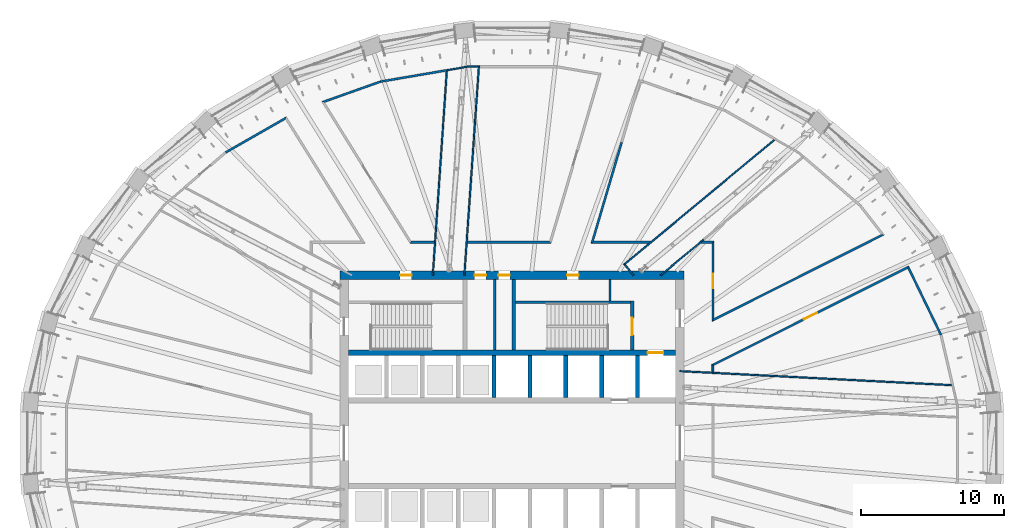
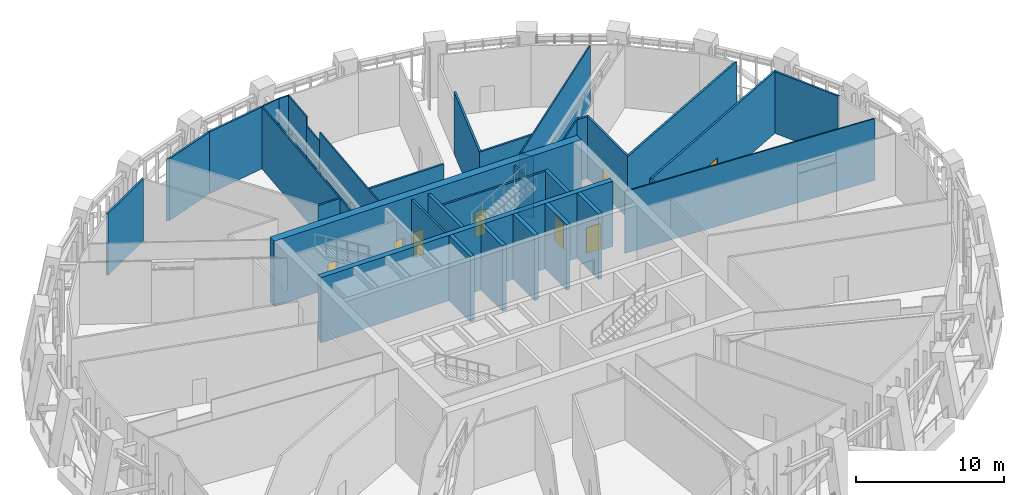
# One storey, part 10 of 21: 35 walls, 8 doors, 8 openings.
"""IFC4 building model written with IfcOpenShell, lengths in metres."""

from ifc_helpers import new_model, si_unit, direction, frame, frame_2d, origin, place, context, subcontext, project, spatial, polyline, rectangle, outline, extrude, material, layer, layer_set, type_object, element, fill, save


model = new_model("IFC4")

# Units and contexts
model_context = context("Model", 3, precision=1e-05, world=origin(), true_north=direction((0.0, 1.0)))
body_context = subcontext(model_context, "Body", "Model", "MODEL_VIEW")
ifc_project = project(units=[si_unit("LENGTHUNIT", "METRE"), si_unit("AREAUNIT", "SQUARE_METRE"), si_unit("VOLUMEUNIT", "CUBIC_METRE"), si_unit("PLANEANGLEUNIT", "RADIAN"), si_unit("MASSUNIT", "GRAM", prefix="KILO")], contexts=[model_context])

# Site, building, storey
site_placement = place(None, origin())
site = spatial("IfcSite", under=ifc_project, at=site_placement, CompositionType="ELEMENT")
building_placement = place(site_placement, origin())
building = spatial("IfcBuilding", under=site, at=building_placement, Name="Halqa Exchange Tower", CompositionType="ELEMENT")
storey_placement = place(building_placement, frame((0.0, 0.0, 173.5)))
storey = spatial("IfcBuildingStorey", under=building, at=storey_placement, Name="L39", CompositionType="ELEMENT", Elevation=173.5)

# Walls
ifc_material_1 = material(Name="Fire-rated gypsum board")
ifc_layer_1 = layer(ifc_material_1, 0.14990234375)
ifc_layer_set_1 = layer_set([ifc_layer_1], Name="Fire-rated gypsum board")
wall_type_1 = type_object("IfcWallType", Name="Fire partition EI 60 150", PredefinedType="PARTITIONING", material=ifc_layer_set_1)
wall_1_placement = place(storey_placement, frame((-19.96630859375, 20.256591796875, 0.0), z_axis=(0.0, 0.0, 1.0), x_axis=(0.868264531095, 0.496101505786, 0.0)))
element("IfcWall", 1, at=wall_1_placement, inside=storey, type_object=wall_type_1, Name="L39-PWL-024", PredefinedType="PARTITIONING", context=body_context, shape_type="SweptSolid", body=[
    extrude(outline(polyline([(0.01416015625, -0.074951171875), (1.600341796875, -0.074951171875), (3.186279296875, -0.074951171875), (4.772216796875, -0.074951171875), (4.916748046875, 0.074951171875), (3.27783203125, 0.074951171875), (1.638916015625, 0.074951171875), (0.0, 0.074951171875), (0.01416015625, -0.074951171875)])), origin(), (0.0, 0.0, 1.0), 5.10009765625),
])
wall_2_placement = place(storey_placement, frame((-9.15380859375, 25.2021484375, 0.0), z_axis=(0.0, 0.0, 1.0), x_axis=(-0.942379744369, -0.33454509024, 0.0)))
element("IfcWall", 2, at=wall_2_placement, inside=storey, type_object=wall_type_1, Name="L39-PWL-037", PredefinedType="PARTITIONING", context=body_context, shape_type="SweptSolid", body=[
    extrude(outline(polyline([(0.0, -0.074951171875), (1.4482421875, -0.074951171875), (2.896240234375, -0.074951171875), (4.34423828125, -0.074951171875), (4.157958984375, 0.074951171875), (2.7763671875, 0.074951171875), (1.39453125, 0.074951171875), (0.012939453125, 0.074951171875), (0.0, -0.074951171875)])), origin(), (0.0, 0.0, 1.0), 5.10009765625),
])
wall_3_placement = place(storey_placement, frame((-7.111572265625, 14.0, 0.0), z_axis=(0.0, 0.0, 1.0), x_axis=(1.0, 0.0, 0.0)))
element("IfcWall", 3, at=wall_3_placement, inside=storey, type_object=wall_type_1, Name="L39-PWL-039", PredefinedType="PARTITIONING", context=body_context, shape_type="SweptSolid", body=[
    extrude(outline(polyline([(0.0, -0.074951171875), (1.694091796875, -0.074951171875), (1.7041015625, 0.071533203125), (1.7041015625, 0.074951171875), (0.083251953125, 0.074951171875), (0.04150390625, 0.0), (0.0, -0.074951171875), (0.0, -0.074951171875)])), origin(), (0.0, 0.0, 1.0), 5.10009765625),
])
wall_4_placement = place(storey_placement, frame((-4.5400390625, 25.989990234375, 0.0), z_axis=(0.0, 0.0, 1.0), x_axis=(-0.98569640878, -0.168530678863, 0.0)))
element("IfcWall", 4, at=wall_4_placement, inside=storey, type_object=wall_type_1, Name="L39-PWL-042", PredefinedType="PARTITIONING", context=body_context, shape_type="SweptSolid", body=[
    extrude(outline(polyline([(0.0, -0.074951171875), (1.564453125, -0.074951171875), (3.12890625, -0.074951171875), (4.693359375, -0.074951171875), (4.6806640625, 0.074951171875), (3.120361328125, 0.074951171875), (1.560302734375, 0.074951171875), (0.0, 0.074951171875), (0.0, -0.074951171875)])), origin(), (0.0, 0.0, 1.0), 5.10009765625),
])
wall_5_placement = place(storey_placement, frame((-3.114990234375, 14.0, 0.0), z_axis=(0.0, 0.0, 1.0), x_axis=(1.0, 0.0, 0.0)))
element("IfcWall", 5, at=wall_5_placement, inside=storey, type_object=wall_type_1, Name="L39-PWL-045", PredefinedType="PARTITIONING", context=body_context, shape_type="SweptSolid", body=[
    extrude(outline(polyline([(0.0, -0.074951171875), (1.947021484375, -0.074951171875), (3.89404296875, -0.074951171875), (5.841064453125, -0.074951171875), (5.784912109375, 0.0), (5.72900390625, 0.074951171875), (3.82275390625, 0.074951171875), (1.91650390625, 0.074951171875), (0.01025390625, 0.074951171875), (0.0, -0.072998046875), (0.0, -0.074951171875)])), origin(), (0.0, 0.0, 1.0), 5.10009765625),
])
wall_6_placement = place(storey_placement, frame((5.561767578125, 13.90380859375, 0.0), z_axis=(0.0, 0.0, 1.0), x_axis=(0.282485676995, 0.959271516461, 0.0)))
element("IfcWall", 6, at=wall_6_placement, inside=storey, type_object=wall_type_1, Name="L39-PWL-058", PredefinedType="PARTITIONING", context=body_context, shape_type="SweptSolid", body=[
    extrude(outline(polyline([(7.366943359375, 0.074951171875), (5.525146484375, 0.074951171875), (3.68359375, 0.074951171875), (1.841796875, 0.074951171875), (0.000244140625, 0.074951171875), (0.20068359375, -0.074951171875), (1.9921875, -0.074951171875), (3.78369140625, -0.074951171875), (5.575439453125, -0.074951171875), (7.366943359375, -0.074951171875), (7.366943359375, 0.074951171875)])), origin(), (0.0, 0.0, 1.0), 5.10009765625),
])
wall_7_placement = place(storey_placement, frame((5.48974609375, 14.0, 0.0), z_axis=(0.0, 0.0, 1.0), x_axis=(1.0, 0.0, 0.0)))
element("IfcWall", 7, at=wall_7_placement, inside=storey, type_object=wall_type_1, Name="L39-PWL-059", PredefinedType="PARTITIONING", context=body_context, shape_type="SweptSolid", body=[
    extrude(outline(polyline([(0.0, -0.074951171875), (1.3447265625, -0.074951171875), (2.689453125, -0.074951171875), (4.0341796875, -0.074951171875), (4.2138671875, 0.074462890625), (4.2138671875, 0.074951171875), (2.8759765625, 0.074951171875), (1.538330078125, 0.074951171875), (0.200439453125, 0.074951171875), (0.100341796875, 0.0), (0.0, -0.074951171875)])), origin(), (0.0, 0.0, 1.0), 5.10009765625),
])
wall_8_placement = place(storey_placement, frame((13.118896484375, 14.0, 0.0), z_axis=(0.0, 0.0, 1.0), x_axis=(1.0, 0.0, 0.0)))
element("IfcWall", 8, at=wall_8_placement, inside=storey, type_object=wall_type_1, Name="L39-PWL-078", PredefinedType="PARTITIONING", context=body_context, shape_type="SweptSolid", body=[
    extrude(outline(polyline([(0.0, -0.074951171875), (0.80615234375, -0.074951171875), (0.9560546875, 0.074951171875), (0.18017578125, 0.074951171875), (0.0, -0.07470703125), (0.0, -0.074951171875)])), origin(), (0.0, 0.0, 1.0), 5.10009765625),
])
wall_9_placement = place(storey_placement, frame((13.891357421875, 8.525390625, 0.0), z_axis=(0.0, 0.0, 1.0), x_axis=(0.893668362043, 0.448728045349, 0.0)))
element("IfcWall", 9, at=wall_9_placement, inside=storey, type_object=wall_type_1, Name="L39-PWL-079", PredefinedType="PARTITIONING", context=body_context, shape_type="SweptSolid", body=[
    extrude(outline(polyline([(0.0, -0.074951171875), (1.92431640625, -0.074951171875), (3.848876953125, -0.074951171875), (5.773193359375, -0.074951171875), (7.69775390625, -0.074951171875), (9.6220703125, -0.074951171875), (11.546630859375, -0.074951171875), (13.470947265625, -0.074951171875), (13.288330078125, 0.074951171875), (11.4248046875, 0.074951171875), (9.56103515625, 0.074951171875), (7.697509765625, 0.074951171875), (5.833984375, 0.074951171875), (3.97021484375, 0.074951171875), (2.106689453125, 0.074951171875), (0.242919921875, 0.074951171875), (0.0, -0.074951171875)])), origin(), (0.0, 0.0, 1.0), 5.10009765625),
])
wall_10_placement = place(storey_placement, frame((14.0, 5.496337890625, 0.0), z_axis=(0.0, 0.0, 1.0), x_axis=(0.0, -1.0, 0.0)))
element("IfcWall", 10, at=wall_10_placement, inside=storey, type_object=wall_type_1, Name="L39-PWL-083", PredefinedType="PARTITIONING", context=body_context, shape_type="SweptSolid", body=[
    extrude(outline(polyline([(0.0, -0.074951171875), (0.541015625, -0.074951171875), (0.54833984375, 0.068359375), (0.54833984375, 0.074951171875), (0.092529296875, 0.074951171875), (0.04638671875, 0.0), (0.0, -0.074951171875)])), origin(), (0.0, 0.0, 1.0), 5.10009765625),
])

# Wall, opening, door
wall_11_placement = place(storey_placement, frame((14.0, 14.074951171875, 0.0), z_axis=(0.0, 0.0, 1.0), x_axis=(0.0, -1.0, 0.0)))
wall_11 = element("IfcWall", 11, at=wall_11_placement, inside=storey, type_object=wall_type_1, Name="L39-PWL-084", PredefinedType="PARTITIONING", context=body_context, shape_type="SweptSolid", body=[
    extrude(outline(polyline([(0.14990234375, -0.074951171875), (1.97216796875, -0.074951171875), (3.794189453125, -0.074951171875), (5.616455078125, -0.074951171875), (5.37353515625, 0.074951171875), (3.582275390625, 0.074951171875), (1.791259765625, 0.074951171875), (0.0, 0.074951171875), (0.14990234375, -0.074951171875)])), origin(), (0.0, 0.0, 1.0), 5.10009765625),
])
opening_1_placement = place(wall_11_placement, frame((2.27490234375, 0.0, 0.0)))
opening_1 = element("IfcOpeningElement", 12, at=opening_1_placement, cuts=wall_11, Name="Opening L39-10", PredefinedType="OPENING", context=body_context, shape_type="SweptSolid", body=[
    extrude(rectangle(XDim=1.0, YDim=2.10009765625, at=frame_2d((0.5, 1.050048828125))), frame((0.0, 0.0869140625, 0.0), z_axis=(0.0, -1.0, 0.0), x_axis=(1.0, 0.0, 0.0)), (0.0, 0.0, 1.0), 0.173828125),
])
ifc_material_2 = material(Name="Steel fire door leaf", Category="steel")
door_type_1 = type_object("IfcDoorType", Name="Fire door FD30S 1000 x 2100", OperationType="SINGLE_SWING_LEFT", PredefinedType="DOOR", material=ifc_material_2)
door_1_placement = place(opening_1_placement, origin())
door_1 = element("IfcDoor", 13, at=door_1_placement, inside=storey, type_object=door_type_1, Name="L39-IDR-010", OperationType="SINGLE_SWING_LEFT", OverallHeight=2.10009765625, OverallWidth=1.0, PredefinedType="DOOR", context=body_context, shape_type="SweptSolid", body=[
    extrude(rectangle(XDim=1.0, YDim=2.10009765625, at=frame_2d((0.5, 1.050048828125))), frame((0.0, 0.02490234375, 0.0), z_axis=(0.0, -1.0, 0.0), x_axis=(1.0, 0.0, 0.0)), (0.0, 0.0, 1.0), 0.050048828125),
])
fill(opening_1, door_1)

wall_12_placement = place(storey_placement, frame((27.677978515625, 12.30419921875, 0.0), z_axis=(0.0, 0.0, 1.0), x_axis=(-0.894029102105, -0.448008888963, 0.0)))
wall_12 = element("IfcWall", 14, at=wall_12_placement, inside=storey, type_object=wall_type_1, Name="L39-PWL-096", PredefinedType="PARTITIONING", context=body_context, shape_type="SweptSolid", body=[
    extrude(outline(polyline([(0.0, -0.074951171875), (1.918212890625, -0.074951171875), (3.83642578125, -0.074951171875), (5.754638671875, -0.074951171875), (7.6728515625, -0.074951171875), (9.591064453125, -0.074951171875), (11.509033203125, -0.074951171875), (13.42724609375, -0.074951171875), (15.345458984375, -0.074951171875), (15.2529296875, 0.074951171875), (13.365234375, 0.074951171875), (11.477783203125, 0.074951171875), (9.590087890625, 0.074951171875), (7.702392578125, 0.074951171875), (5.81494140625, 0.074951171875), (3.92724609375, 0.074951171875), (2.03955078125, 0.074951171875), (0.15185546875, 0.074951171875), (0.0, -0.074951171875), (0.0, -0.074951171875)])), origin(), (0.0, 0.0, 1.0), 5.10009765625),
])
opening_2_placement = place(wall_12_placement, frame((7.1875, 0.0, 0.0)))
opening_2 = element("IfcOpeningElement", 15, at=opening_2_placement, cuts=wall_12, Name="Opening L39-09", PredefinedType="OPENING", context=body_context, shape_type="SweptSolid", body=[
    extrude(rectangle(XDim=1.0, YDim=2.10009765625, at=frame_2d((0.5, 1.050048828125))), frame((0.0, 0.0869140625, 0.0), z_axis=(0.0, -1.0, 0.0), x_axis=(1.0, 0.0, 0.0)), (0.0, 0.0, 1.0), 0.173828125),
])
door_2_placement = place(opening_2_placement, origin())
door_2 = element("IfcDoor", 16, at=door_2_placement, inside=storey, type_object=door_type_1, Name="L39-IDR-009", OperationType="SINGLE_SWING_LEFT", OverallHeight=2.10009765625, OverallWidth=1.0, PredefinedType="DOOR", context=body_context, shape_type="SweptSolid", body=[
    extrude(rectangle(XDim=1.0, YDim=2.10009765625, at=frame_2d((0.5, 1.050048828125))), frame((0.0, 0.02490234375, 0.0), z_axis=(0.0, -1.0, 0.0), x_axis=(1.0, 0.0, 0.0)), (0.0, 0.0, 1.0), 0.050048828125),
])
fill(opening_2, door_2)

# Walls
wall_13_placement = place(storey_placement, frame((29.90380859375, 7.532470703125, 0.0), z_axis=(0.0, 0.0, 1.0), x_axis=(-0.435783205869, 0.900051663785, 0.0)))
element("IfcWall", 17, at=wall_13_placement, inside=storey, type_object=wall_type_1, Name="L39-PWL-098", PredefinedType="PARTITIONING", context=body_context, shape_type="SweptSolid", body=[
    extrude(outline(polyline([(5.339599609375, -0.074951171875), (5.339599609375, -0.074951171875), (5.187744140625, 0.074951171875), (3.464111328125, 0.074951171875), (1.740478515625, 0.074951171875), (0.016845703125, 0.074951171875), (0.0, -0.074951171875), (1.77978515625, -0.074951171875), (3.559814453125, -0.074951171875), (5.339599609375, -0.074951171875)])), origin(), (0.0, 0.0, 1.0), 5.10009765625),
])
ifc_material_3 = material(Name="Gypsum board")
ifc_layer_2 = layer(ifc_material_3, 0.10009765625)
ifc_layer_set_2 = layer_set([ifc_layer_2], Name="Gypsum board")
wall_type_2 = type_object("IfcWallType", Name="Partition 100 gypsum", PredefinedType="PARTITIONING", material=ifc_layer_set_2)
wall_14_placement = place(storey_placement, frame((-5.52001953125, 11.699951171875, 0.0), z_axis=(0.0, 0.0, 1.0), x_axis=(0.068417878338, 0.997656751555, 0.0)))
element("IfcWall", 18, at=wall_14_placement, inside=storey, type_object=wall_type_2, Name="L39-PWL-041", PredefinedType="PARTITIONING", context=body_context, shape_type="SweptSolid", body=[
    extrude(outline(polyline([(14.2841796875, -0.050048828125), (14.2841796875, -0.04931640625), (14.27490234375, -0.011962890625), (14.2841796875, -0.009765625), (14.2841796875, -0.009521484375), (14.250732421875, -0.017578125), (14.234375, 0.050048828125), (12.257568359375, 0.050048828125), (10.281005859375, 0.050048828125), (8.304443359375, 0.050048828125), (6.32763671875, 0.050048828125), (4.35107421875, 0.050048828125), (2.37451171875, 0.050048828125), (2.2275390625, 0.0400390625), (2.226806640625, 0.050048828125), (0.0, 0.050048828125), (0.0, -0.050048828125), (1.78564453125, -0.050048828125), (3.571044921875, -0.050048828125), (5.3564453125, -0.050048828125), (7.14208984375, -0.050048828125), (8.927734375, -0.050048828125), (10.713134765625, -0.050048828125), (12.49853515625, -0.050048828125), (14.2841796875, -0.050048828125)])), origin(), (0.0, 0.0, 1.0), 5.10009765625),
])
wall_15_placement = place(storey_placement, frame((-3.320068359375, 11.699951171875, 0.0), z_axis=(0.0, 0.0, 1.0), x_axis=(0.069412279606, 0.99758805899, 0.0)))
element("IfcWall", 19, at=wall_15_placement, inside=storey, type_object=wall_type_2, Name="L39-PWL-043", PredefinedType="PARTITIONING", context=body_context, shape_type="SweptSolid", body=[
    extrude(rectangle(XDim=9.7216796875, YDim=0.10009765625, at=frame_2d((4.86083984375, 0.0))), origin(), (0.0, 0.0, 1.0), 5.10009765625),
])
wall_16_placement = place(storey_placement, frame((-3.095703125, 26.24072265625, 0.0), z_axis=(0.0, 0.0, 1.0), x_axis=(-0.985264268605, -0.171038945885, 0.0)))
element("IfcWall", 20, at=wall_16_placement, inside=storey, type_object=wall_type_2, Name="L39-PWL-047", PredefinedType="PARTITIONING", context=body_context, shape_type="SweptSolid", body=[
    extrude(outline(polyline([(1.4658203125, 0.050048828125), (0.0087890625, 0.050048828125), (0.0, -0.050048828125), (1.4658203125, -0.050048828125), (1.4658203125, 0.050048828125)])), origin(), (0.0, 0.0, 1.0), 5.10009765625),
])
wall_17_placement = place(storey_placement, frame((-2.258056640625, 26.239990234375, 0.0), z_axis=(0.0, 0.0, 1.0), x_axis=(-1.0, 0.0, 0.0)))
element("IfcWall", 21, at=wall_17_placement, inside=storey, type_object=wall_type_2, Name="L39-PWL-048", PredefinedType="PARTITIONING", context=body_context, shape_type="SweptSolid", body=[
    extrude(outline(polyline([(0.84619140625, -0.050048828125), (0.84619140625, -0.04931640625), (0.842041015625, 0.0), (0.837646484375, 0.050048828125), (0.10400390625, 0.050048828125), (0.100341796875, -0.00341796875), (0.00048828125, 0.003662109375), (0.00390625, 0.050048828125), (0.0, 0.050048828125), (0.0, -0.050048828125), (0.84619140625, -0.050048828125)])), origin(), (0.0, 0.0, 1.0), 5.10009765625),
])
wall_18_placement = place(storey_placement, frame((7.80810546875, 12.498291015625, 0.0), z_axis=(0.0, 0.0, 1.0), x_axis=(0.638237196626, -0.769839776085, 0.0)))
element("IfcWall", 22, at=wall_18_placement, inside=storey, type_object=wall_type_2, Name="L39-PWL-062", PredefinedType="PARTITIONING", context=body_context, shape_type="SweptSolid", body=[
    extrude(outline(polyline([(1.037109375, 0.050048828125), (0.099609375, 0.050048828125), (0.0, -0.0498046875), (0.0, -0.050048828125), (1.037109375, -0.050048828125), (1.037109375, 0.050048828125)])), origin(), (0.0, 0.0, 1.0), 5.10009765625),
])
wall_19_placement = place(storey_placement, frame((7.801513671875, 12.427978515625, 0.0), z_axis=(0.0, 0.0, 1.0), x_axis=(0.768935518413, 0.639326339613, 0.0)))
element("IfcWall", 23, at=wall_19_placement, inside=storey, type_object=wall_type_2, Name="L39-PWL-063", PredefinedType="PARTITIONING", context=body_context, shape_type="SweptSolid", body=[
    extrude(outline(polyline([(13.607666015625, 0.050048828125), (11.663818359375, 0.050048828125), (9.7197265625, 0.050048828125), (7.77587890625, 0.050048828125), (5.83203125, 0.050048828125), (3.887939453125, 0.050048828125), (1.944091796875, 0.050048828125), (0.0, 0.050048828125), (0.10009765625, -0.050048828125), (2.02978515625, -0.050048828125), (3.95947265625, -0.050048828125), (5.888916015625, -0.050048828125), (7.818603515625, -0.050048828125), (9.748291015625, -0.050048828125), (11.677978515625, -0.050048828125), (13.607666015625, -0.050048828125), (13.607666015625, 0.050048828125)])), origin(), (0.0, 0.0, 1.0), 5.10009765625),
])
wall_20_placement = place(storey_placement, frame((10.360107421875, 11.699951171875, 0.0), z_axis=(0.0, 0.0, 1.0), x_axis=(0.76943127867, 0.638729604296, 0.0)))
element("IfcWall", 24, at=wall_20_placement, inside=storey, type_object=wall_type_2, Name="L39-PWL-072", PredefinedType="PARTITIONING", context=body_context, shape_type="SweptSolid", body=[
    extrude(outline(polyline([(0.0, -0.050048828125), (1.886474609375, -0.050048828125), (3.772705078125, -0.050048828125), (3.775146484375, -0.047119140625), (3.778564453125, -0.050048828125), (3.915283203125, -0.050048828125), (3.915283203125, 0.050048828125), (1.95751953125, 0.050048828125), (0.0, 0.050048828125), (0.0, -0.050048828125)])), origin(), (0.0, 0.0, 1.0), 5.10009765625),
])
wall_21_placement = place(storey_placement, frame((11.699951171875, 5.02001953125, 0.0), z_axis=(0.0, 0.0, 1.0), x_axis=(0.998673908363, -0.051482276115, 0.0)))
element("IfcWall", 25, at=wall_21_placement, inside=storey, type_object=wall_type_2, Name="L39-PWL-076", PredefinedType="PARTITIONING", context=body_context, shape_type="SweptSolid", body=[
    extrude(outline(polyline([(18.997314453125, -0.050048828125), (18.997314453125, -0.048828125), (18.9873046875, -0.013916015625), (18.997314453125, -0.010986328125), (18.997314453125, -0.010986328125), (18.963134765625, -0.020751953125), (18.94287109375, 0.050048828125), (17.08642578125, 0.050048828125), (15.229736328125, 0.050048828125), (13.373291015625, 0.050048828125), (11.5166015625, 0.050048828125), (9.66015625, 0.050048828125), (7.803466796875, 0.050048828125), (5.947021484375, 0.050048828125), (4.09033203125, 0.050048828125), (2.23388671875, 0.050048828125), (2.225341796875, 0.049560546875), (2.225341796875, 0.050048828125), (0.0, 0.050048828125), (0.0, -0.050048828125), (1.899658203125, -0.050048828125), (3.799560546875, -0.050048828125), (5.69921875, -0.050048828125), (7.598876953125, -0.050048828125), (9.49853515625, -0.050048828125), (11.3984375, -0.050048828125), (13.298095703125, -0.050048828125), (15.19775390625, -0.050048828125), (17.09765625, -0.050048828125), (18.997314453125, -0.050048828125)])), origin(), (0.0, 0.0, 1.0), 5.10009765625),
])
wall_22_placement = place(storey_placement, frame((-2.645263671875, 21.398193359375, 0.0), z_axis=(0.0, 0.0, 1.0), x_axis=(0.069364153802, 0.997591406422, 0.0)))
element("IfcWall", 26, at=wall_22_placement, inside=storey, type_object=wall_type_2, Name="L39-PWL-108", PredefinedType="PARTITIONING", context=body_context, shape_type="SweptSolid", body=[
    extrude(rectangle(XDim=2.02734375, YDim=0.10009765625, at=frame_2d((1.013671875, 0.0))), origin(), (0.0, 0.0, 1.0), 4.346923828125),
])
wall_23_placement = place(storey_placement, frame((-2.504638671875, 23.420654296875, 0.0), z_axis=(0.0, 0.0, 1.0), x_axis=(0.069368346489, 0.997591114889, 0.0)))
element("IfcWall", 27, at=wall_23_placement, inside=storey, type_object=wall_type_2, Name="L39-PWL-109", PredefinedType="PARTITIONING", context=body_context, shape_type="SweptSolid", body=[
    extrude(rectangle(XDim=2.826171875, YDim=0.10009765625, at=frame_2d((1.4130859375, 0.0))), origin(), (0.0, 0.0, 1.0), 5.10009765625),
])
ifc_layer_3 = layer(ifc_material_3, 0.14990234375)
ifc_layer_set_3 = layer_set([ifc_layer_3], Name="Gypsum board")
wall_type_3 = type_object("IfcWallType", Name="Penthouse riser wall 150 gypsum", PredefinedType="PARTITIONING", material=ifc_layer_set_3)
wall_24_placement = place(storey_placement, frame((-1.199951171875, 6.5, 0.0), z_axis=(0.0, 0.0, 1.0), x_axis=(0.0, 1.0, 0.0)))
element("IfcWall", 28, at=wall_24_placement, inside=storey, type_object=wall_type_3, Name="Partition W1.200 N", PredefinedType="PARTITIONING", context=body_context, shape_type="SweptSolid", body=[
    extrude(rectangle(XDim=4.89990234375, YDim=0.14990234375, at=frame_2d((2.449951171875, 0.0))), origin(), (0.0, 0.0, 1.0), 5.10009765625),
])
wall_25_placement = place(storey_placement, frame((6.824951171875, 9.89990234375, 0.0), z_axis=(0.0, 0.0, 1.0), x_axis=(0.0, 1.0, 0.0)))
element("IfcWall", 29, at=wall_25_placement, inside=storey, type_object=wall_type_3, Name="Firefighting lobby west wall N", PredefinedType="PARTITIONING", context=body_context, shape_type="SweptSolid", body=[
    extrude(rectangle(XDim=1.5, YDim=0.14990234375, at=frame_2d((0.75, 0.0))), origin(), (0.0, 0.0, 1.0), 5.10009765625),
])
ifc_material_4 = material(Name="Concrete C60/75", Category="concrete")
ifc_layer_4 = layer(ifc_material_4, 0.300048828125)
ifc_layer_set_4 = layer_set([ifc_layer_4], Name="Concrete C60/75")
wall_type_4 = type_object("IfcWallType", Name="RC core wall 300", PredefinedType="SHEAR", material=ifc_layer_set_4)
for number, where, z_axis, x_axis, name in (
    (30, (-1.25, 3.199951171875, 0.0), (0.0, 0.0, 1.0), (0.0, 1.0, 0.0), "Shaft divider N4"),
    (31, (1.25, 3.199951171875, 0.0), (0.0, 0.0, 1.0), (0.0, 1.0, 0.0), "Shaft divider N5"),
    (32, (3.75, 3.199951171875, 0.0), (0.0, 0.0, 1.0), (0.0, 1.0, 0.0), "Shaft divider N6"),
    (33, (6.25, 3.199951171875, 0.0), (0.0, 0.0, 1.0), (0.0, 1.0, 0.0), "Shaft divider N7"),
    (34, (8.75, 3.199951171875, 0.0), (0.0, 0.0, 1.0), (0.0, 1.0, 0.0), "Shaft divider N8"),
):
    element("IfcWall", number, at=place(storey_placement, frame(where, z_axis=z_axis, x_axis=x_axis)), inside=storey, type_object=wall_type_4, Name=name, PredefinedType="SHEAR", context=body_context, shape_type="SweptSolid", body=[
        extrude(rectangle(XDim=2.900146484375, YDim=0.300048828125, at=frame_2d((1.4501953125, 0.0))), origin(), (0.0, 0.0, 1.0), 5.39990234375),
    ])

# Wall, opening, door
ifc_material_5 = material(Name="Concrete C70/85", Category="concrete")
ifc_layer_5 = layer(ifc_material_5, 0.39990234375)
ifc_layer_set_5 = layer_set([ifc_layer_5], Name="Concrete C70/85")
wall_type_5 = type_object("IfcWallType", Name="RC core wall 400 C70/85", PredefinedType="SHEAR", material=ifc_layer_set_5)
wall_26_placement = place(storey_placement, frame((-11.39990234375, 6.300048828125, 0.0), z_axis=(0.0, 0.0, 1.0), x_axis=(1.0, 0.0, 0.0)))
wall_26 = element("IfcWall", 35, at=wall_26_placement, inside=storey, type_object=wall_type_5, Name="Lift row back wall N", PredefinedType="SHEAR", context=body_context, shape_type="SweptSolid", body=[
    extrude(rectangle(XDim=22.7998046875, YDim=0.39990234375, at=frame_2d((11.39990234375, 0.0))), origin(), (0.0, 0.0, 1.0), 5.39990234375),
])
opening_3_placement = place(wall_26_placement, frame((20.85009765625, 0.0, 0.0)))
opening_3 = element("IfcOpeningElement", 36, at=opening_3_placement, cuts=wall_26, Name="Opening LD-FF1-L39", PredefinedType="OPENING", context=body_context, shape_type="SweptSolid", body=[
    extrude(rectangle(XDim=1.10009765625, YDim=2.10009765625, at=frame_2d((0.550048828125, 1.050048828125))), frame((0.0, 0.2119140625, 0.0), z_axis=(0.0, -1.0, 0.0), x_axis=(1.0, 0.0, 0.0)), (0.0, 0.0, 1.0), 0.423828125),
])
ifc_material_6 = material(Name="Stainless steel", Category="steel")
door_type_2 = type_object("IfcDoorType", Name="Lift landing door 1100 x 2100", OperationType="SLIDING_TO_LEFT", PredefinedType="DOOR", material=ifc_material_6)
door_3_placement = place(opening_3_placement, origin())
door_3 = element("IfcDoor", 37, at=door_3_placement, inside=storey, type_object=door_type_2, Name="Lift landing door FF1", OperationType="SLIDING_TO_LEFT", OverallHeight=2.10009765625, OverallWidth=1.10009765625, PredefinedType="DOOR", context=body_context, shape_type="SweptSolid", body=[
    extrude(rectangle(XDim=1.10009765625, YDim=2.10009765625, at=frame_2d((0.550048828125, 1.050048828125))), frame((0.0, 0.02490234375, 0.0), z_axis=(0.0, -1.0, 0.0), x_axis=(1.0, 0.0, 0.0)), (0.0, 0.0, 1.0), 0.050048828125),
])
fill(opening_3, door_3)

# Wall, openings, doors
ifc_layer_6 = layer(ifc_material_5, 0.60009765625)
ifc_layer_set_6 = layer_set([ifc_layer_6], Name="Concrete C70/85")
wall_type_6 = type_object("IfcWallType", Name="RC core wall 600 C70/85", PredefinedType="SHEAR", material=ifc_layer_set_6)
wall_27_placement = place(storey_placement, frame((-12.0, 11.699951171875, 0.0), z_axis=(0.0, 0.0, 1.0), x_axis=(1.0, 0.0, 0.0)))
wall_27 = element("IfcWall", 38, at=wall_27_placement, inside=storey, type_object=wall_type_6, Name="Core wall north", PredefinedType="SHEAR", context=body_context, shape_type="SweptSolid", body=[
    extrude(rectangle(XDim=24.0, YDim=0.60009765625, at=frame_2d((12.0, 0.0))), origin(), (0.0, 0.0, 1.0), 5.39990234375),
])
opening_4_placement = place(wall_27_placement, frame((9.39990234375, 0.0, 0.0)))
opening_4 = element("IfcOpeningElement", 39, at=opening_4_placement, cuts=wall_27, Name="Opening L39-C13", PredefinedType="OPENING", context=body_context, shape_type="SweptSolid", body=[
    extrude(rectangle(XDim=0.800048828125, YDim=2.10009765625, at=frame_2d((0.39990234375, 1.050048828125))), frame((0.0, 0.31201171875, 0.0), z_axis=(0.0, -1.0, 0.0), x_axis=(1.0, 0.0, 0.0)), (0.0, 0.0, 1.0), 0.6240234375),
])
opening_5_placement = place(wall_27_placement, frame((11.050048828125, 0.0, 0.0)))
opening_5 = element("IfcOpeningElement", 40, at=opening_5_placement, cuts=wall_27, Name="Opening L39-C14", PredefinedType="OPENING", context=body_context, shape_type="SweptSolid", body=[
    extrude(rectangle(XDim=0.800048828125, YDim=2.10009765625, at=frame_2d((0.39990234375, 1.050048828125))), frame((0.0, 0.31201171875, 0.0), z_axis=(0.0, -1.0, 0.0), x_axis=(1.0, 0.0, 0.0)), (0.0, 0.0, 1.0), 0.6240234375),
])
opening_6_placement = place(wall_27_placement, frame((4.199951171875, 0.0, 0.0)))
opening_6 = element("IfcOpeningElement", 41, at=opening_6_placement, cuts=wall_27, Name="Opening L39-C15", PredefinedType="OPENING", context=body_context, shape_type="SweptSolid", body=[
    extrude(rectangle(XDim=0.800048828125, YDim=2.10009765625, at=frame_2d((0.39990234375, 1.050048828125))), frame((0.0, 0.31201171875, 0.0), z_axis=(0.0, -1.0, 0.0), x_axis=(1.0, 0.0, 0.0)), (0.0, 0.0, 1.0), 0.6240234375),
])
opening_7_placement = place(wall_27_placement, frame((15.85009765625, 0.0, 0.0)))
opening_7 = element("IfcOpeningElement", 42, at=opening_7_placement, cuts=wall_27, Name="Opening L39-C16", PredefinedType="OPENING", context=body_context, shape_type="SweptSolid", body=[
    extrude(rectangle(XDim=0.800048828125, YDim=2.10009765625, at=frame_2d((0.39990234375, 1.050048828125))), frame((0.0, 0.31201171875, 0.0), z_axis=(0.0, -1.0, 0.0), x_axis=(1.0, 0.0, 0.0)), (0.0, 0.0, 1.0), 0.6240234375),
])
door_type_3 = type_object("IfcDoorType", Name="Riser door FD60 800 x 2100", OperationType="SINGLE_SWING_LEFT", PredefinedType="DOOR", material=ifc_material_2)
door_4_placement = place(opening_4_placement, frame((0.800048828125, 0.0, 0.0), z_axis=(0.0, 0.0, 1.0), x_axis=(-1.0, 0.0, 0.0)))
door_4 = element("IfcDoor", 43, at=door_4_placement, inside=storey, type_object=door_type_3, Name="Core room door", OperationType="SINGLE_SWING_RIGHT", OverallHeight=2.10009765625, OverallWidth=0.800048828125, PredefinedType="DOOR", context=body_context, shape_type="SweptSolid", body=[
    extrude(rectangle(XDim=0.800048828125, YDim=2.10009765625, at=frame_2d((0.39990234375, 1.050048828125))), frame((0.0, 0.02490234375, 0.0), z_axis=(0.0, -1.0, 0.0), x_axis=(1.0, 0.0, 0.0)), (0.0, 0.0, 1.0), 0.050048828125),
])
fill(opening_4, door_4)
door_5_placement = place(opening_5_placement, frame((0.800048828125, 0.0, 0.0), z_axis=(0.0, 0.0, 1.0), x_axis=(-1.0, 0.0, 0.0)))
door_5 = element("IfcDoor", 44, at=door_5_placement, inside=storey, type_object=door_type_3, Name="Core room door", OperationType="SINGLE_SWING_LEFT", OverallHeight=2.10009765625, OverallWidth=0.800048828125, PredefinedType="DOOR", context=body_context, shape_type="SweptSolid", body=[
    extrude(rectangle(XDim=0.800048828125, YDim=2.10009765625, at=frame_2d((0.39990234375, 1.050048828125))), frame((0.0, 0.02490234375, 0.0), z_axis=(0.0, -1.0, 0.0), x_axis=(1.0, 0.0, 0.0)), (0.0, 0.0, 1.0), 0.050048828125),
])
fill(opening_5, door_5)
door_6_placement = place(opening_6_placement, frame((0.800048828125, 0.0, 0.0), z_axis=(0.0, 0.0, 1.0), x_axis=(-1.0, 0.0, 0.0)))
door_6 = element("IfcDoor", 45, at=door_6_placement, inside=storey, type_object=door_type_3, Name="Core room door", OperationType="SINGLE_SWING_LEFT", OverallHeight=2.10009765625, OverallWidth=0.800048828125, PredefinedType="DOOR", context=body_context, shape_type="SweptSolid", body=[
    extrude(rectangle(XDim=0.800048828125, YDim=2.10009765625, at=frame_2d((0.39990234375, 1.050048828125))), frame((0.0, 0.02490234375, 0.0), z_axis=(0.0, -1.0, 0.0), x_axis=(1.0, 0.0, 0.0)), (0.0, 0.0, 1.0), 0.050048828125),
])
fill(opening_6, door_6)
door_7_placement = place(opening_7_placement, frame((0.800048828125, 0.0, 0.0), z_axis=(0.0, 0.0, 1.0), x_axis=(-1.0, 0.0, 0.0)))
door_7 = element("IfcDoor", 46, at=door_7_placement, inside=storey, type_object=door_type_3, Name="Core room door", OperationType="SINGLE_SWING_RIGHT", OverallHeight=2.10009765625, OverallWidth=0.800048828125, PredefinedType="DOOR", context=body_context, shape_type="SweptSolid", body=[
    extrude(rectangle(XDim=0.800048828125, YDim=2.10009765625, at=frame_2d((0.39990234375, 1.050048828125))), frame((0.0, 0.02490234375, 0.0), z_axis=(0.0, -1.0, 0.0), x_axis=(1.0, 0.0, 0.0)), (0.0, 0.0, 1.0), 0.050048828125),
])
fill(opening_7, door_7)

# Walls
ifc_material_7 = material(Name="Concrete C30/37", Category="concrete")
ifc_layer_7 = layer(ifc_material_7, 0.14990234375)
ifc_layer_set_7 = layer_set([ifc_layer_7], Name="Concrete C30/37")
wall_type_7 = type_object("IfcWallType", Name="RC stair wall 150 C30/37", PredefinedType="SHEAR", material=ifc_layer_set_7)
wall_28_placement = place(storey_placement, frame((0.25, 9.824951171875, 0.0), z_axis=(0.0, 0.0, 1.0), x_axis=(1.0, 0.0, 0.0)))
element("IfcWall", 47, at=wall_28_placement, inside=storey, type_object=wall_type_7, Name="Stair ST2 north wall N", PredefinedType="SHEAR", context=body_context, shape_type="SweptSolid", body=[
    extrude(rectangle(XDim=8.0, YDim=0.14990234375, at=frame_2d((4.0, 0.0))), origin(), (0.0, 0.0, 1.0), 5.10009765625),
])
ifc_layer_8 = layer(ifc_material_7, 0.25)
ifc_layer_set_8 = layer_set([ifc_layer_8], Name="Concrete C30/37")
wall_type_8 = type_object("IfcWallType", Name="RC stair wall 250 C30/37", PredefinedType="SHEAR", material=ifc_layer_set_8)
wall_29_placement = place(storey_placement, frame((0.125, 6.5, 0.0), z_axis=(0.0, 0.0, 1.0), x_axis=(0.0, 1.0, 0.0)))
element("IfcWall", 48, at=wall_29_placement, inside=storey, type_object=wall_type_8, Name="Stair ST2 west wall N", PredefinedType="SHEAR", context=body_context, shape_type="SweptSolid", body=[
    extrude(rectangle(XDim=4.89990234375, YDim=0.25, at=frame_2d((2.449951171875, 0.0))), origin(), (0.0, 0.0, 1.0), 5.10009765625),
])

# Wall, opening, door
wall_30_placement = place(storey_placement, frame((8.375, 6.5, 0.0), z_axis=(0.0, 0.0, 1.0), x_axis=(0.0, 1.0, 0.0)))
wall_30 = element("IfcWall", 49, at=wall_30_placement, inside=storey, type_object=wall_type_8, Name="Stair ST2 east wall N", PredefinedType="SHEAR", context=body_context, shape_type="SweptSolid", body=[
    extrude(rectangle(XDim=3.39990234375, YDim=0.25, at=frame_2d((1.699951171875, 0.0))), origin(), (0.0, 0.0, 1.0), 5.10009765625),
])
opening_8_placement = place(wall_30_placement, frame((1.02490234375, 0.0, 0.0)))
opening_8 = element("IfcOpeningElement", 50, at=opening_8_placement, cuts=wall_30, Name="Opening L39-C08", PredefinedType="OPENING", context=body_context, shape_type="SweptSolid", body=[
    extrude(rectangle(XDim=1.199951171875, YDim=2.10009765625, at=frame_2d((0.60009765625, 1.050048828125))), frame((0.0, 0.136962890625, 0.0), z_axis=(0.0, -1.0, 0.0), x_axis=(1.0, 0.0, 0.0)), (0.0, 0.0, 1.0), 0.27392578125),
])
door_type_4 = type_object("IfcDoorType", Name="Stair door FD90 1200 x 2100", OperationType="SINGLE_SWING_LEFT", PredefinedType="DOOR", material=ifc_material_2)
door_8_placement = place(opening_8_placement, origin())
door_8 = element("IfcDoor", 51, at=door_8_placement, inside=storey, type_object=door_type_4, Name="Stair door ST2", OperationType="SINGLE_SWING_RIGHT", OverallHeight=2.10009765625, OverallWidth=1.199951171875, PredefinedType="DOOR", context=body_context, shape_type="SweptSolid", body=[
    extrude(rectangle(XDim=1.199951171875, YDim=2.10009765625, at=frame_2d((0.60009765625, 1.050048828125))), frame((0.0, 0.02490234375, 0.0), z_axis=(0.0, -1.0, 0.0), x_axis=(1.0, 0.0, 0.0)), (0.0, 0.0, 1.0), 0.050048828125),
])
fill(opening_8, door_8)

save(model, "model.ifc")
